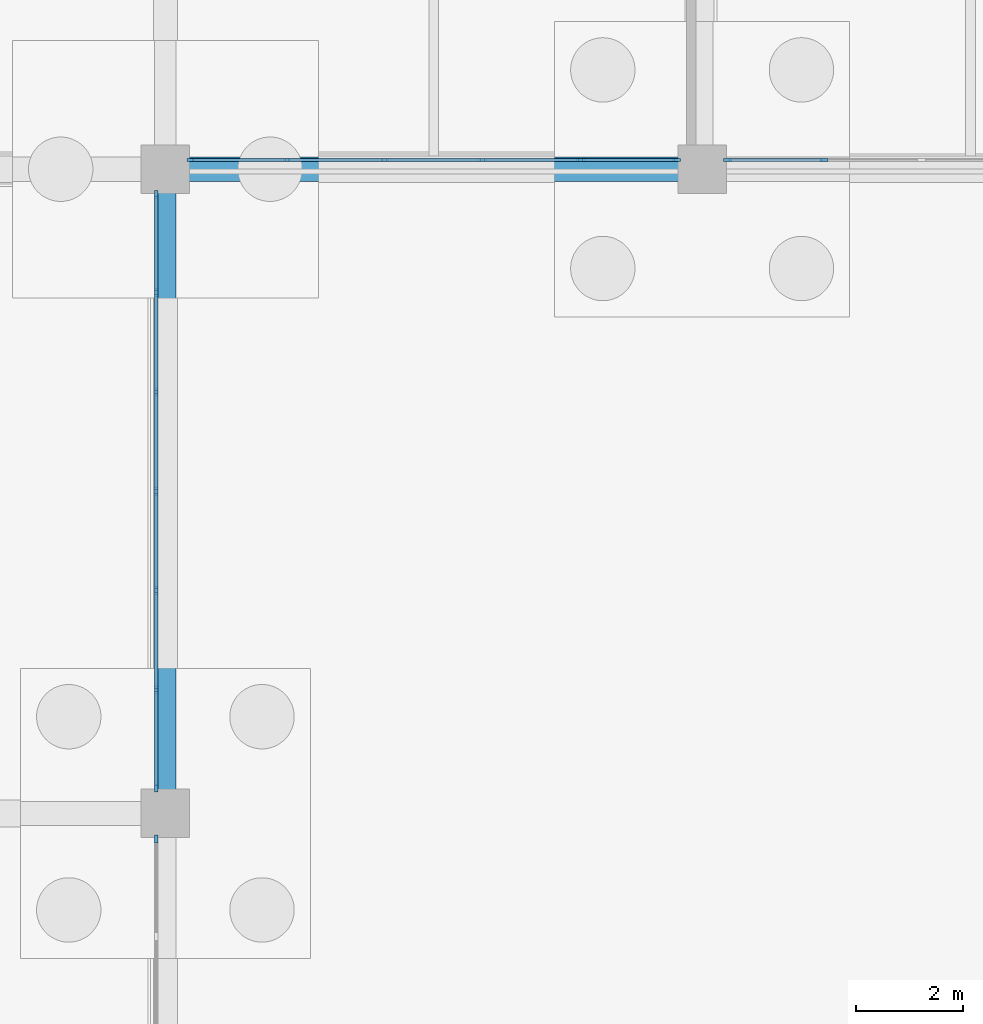
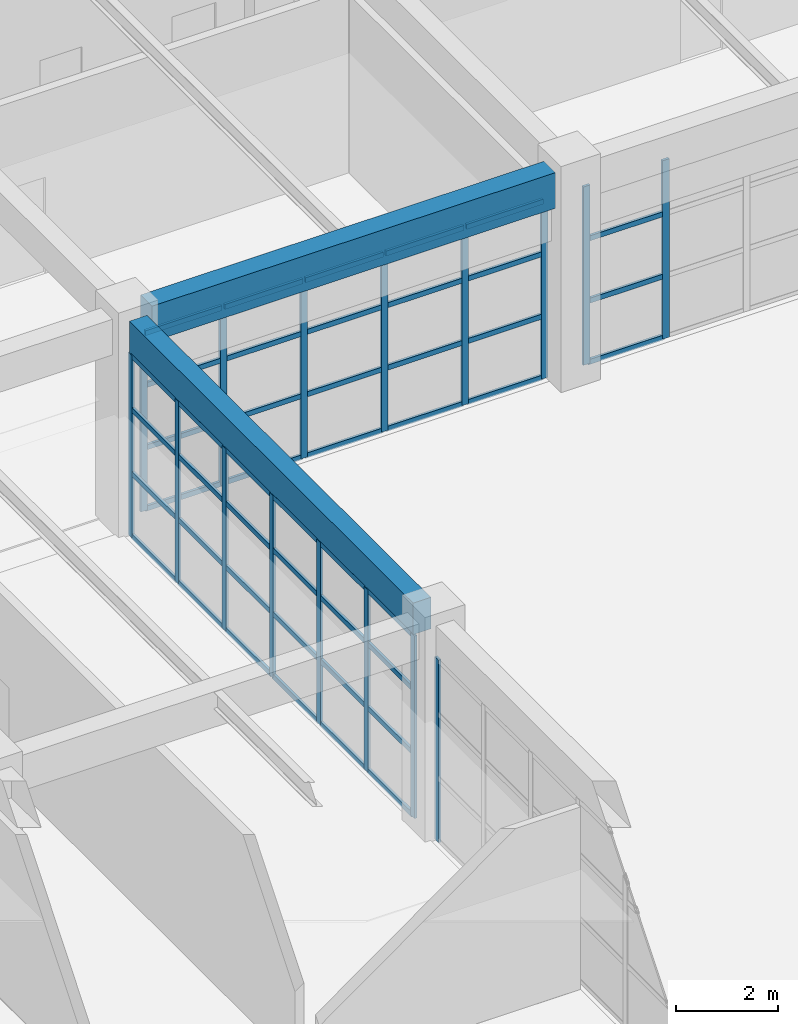
# One storey, part 59 of 99: 63 members, 2 beams, 4 elements without a shape of their own.
"""IFC4 building model written with IfcOpenShell, lengths in metres."""

from ifc_helpers import new_model, si_unit, direction, frame, origin, origin_2d, place, context, subcontext, project, spatial, rectangle, extrude, material, layer, layer_set, material_profile, profile_set, type_object, element, aggregate, save


model = new_model("IFC4")

# Units and contexts
model_context = context("Model", 3, precision=1e-05, world=origin(), true_north=direction((0.0, 1.0)))
body_context = subcontext(model_context, "Body", "Model", "MODEL_VIEW")
ifc_project = project(units=[si_unit("LENGTHUNIT", "METRE"), si_unit("AREAUNIT", "SQUARE_METRE"), si_unit("VOLUMEUNIT", "CUBIC_METRE"), si_unit("PLANEANGLEUNIT", "RADIAN"), si_unit("MASSUNIT", "GRAM", prefix="KILO")], contexts=[model_context])

# Site, building, storey
site_placement = place(None, origin())
site = spatial("IfcSite", under=ifc_project, at=site_placement, CompositionType="ELEMENT")
building_placement = place(site_placement, origin())
building = spatial("IfcBuilding", under=site, at=building_placement, Name="Kivolera Central Railway Station", CompositionType="ELEMENT")
storey_placement = place(building_placement, origin())
storey = spatial("IfcBuildingStorey", under=building, at=storey_placement, Name="L00", CompositionType="ELEMENT", Elevation=0.0)

# Beams
ifc_material_1 = material(Name="Concrete C40/50", Category="concrete")
ifc_material_profile_1 = material_profile(ifc_material_1, rectangle(XDim=0.39990234375, YDim=0.75, at=origin_2d()), Name="RC 400x750")
ifc_profile_set_1 = profile_set([ifc_material_profile_1], Name="Concrete C40/50")
beam_type_1 = type_object("IfcBeamType", Name="BM-RC-400x750", PredefinedType="BEAM", material=ifc_profile_set_1)
beam_1_placement = place(storey_placement, frame((138.0, 102.44189453125, 4.7451171875), z_axis=(0.0, 1.0, 0.0), x_axis=(-1.0, 0.0, 0.0)))
element("IfcBeam", 1, at=beam_1_placement, inside=storey, type_object=beam_type_1, Name="L00 Wing Y-Beam 14:J-K", PredefinedType="BEAM", context=body_context, shape_type="SweptSolid", body=[
    extrude(rectangle(XDim=0.39990234375, YDim=0.75, at=origin_2d()), origin(), (0.0, 0.0, 1.0), 11.1162109375),
])
ifc_material_profile_2 = material_profile(ifc_material_1, rectangle(XDim=0.449951171875, YDim=0.85009765625, at=origin_2d()), Name="RC 450x850")
ifc_profile_set_2 = profile_set([ifc_material_profile_2], Name="Concrete C40/50")
beam_type_2 = type_object("IfcBeamType", Name="BM-RC-450x850", PredefinedType="BEAM", material=ifc_profile_set_2)
beam_2_placement = place(storey_placement, frame((138.44189453125, 114.0, 4.695068359375), z_axis=(1.0, 0.0, 0.0), x_axis=(0.0, 1.0, 0.0)))
element("IfcBeam", 2, at=beam_2_placement, inside=storey, type_object=beam_type_2, Name="L00 Wing X-Beam K:14-15", PredefinedType="BEAM", context=body_context, shape_type="SweptSolid", body=[
    extrude(rectangle(XDim=0.449951171875, YDim=0.85009765625, at=origin_2d()), origin(), (0.0, 0.0, 1.0), 9.1162109375),
])

# Curtain wall, members
ifc_material_2 = material(Name="Anodised aluminium", Category="aluminium")
ifc_layer_1 = layer(ifc_material_2, 0.179931640625, Name="Anodised aluminium")
ifc_layer_set_1 = layer_set([ifc_layer_1], Name="Anodised aluminium")
curtain_wall_type_1 = type_object("IfcCurtainWallType", Name="CW-SYS-21", PredefinedType="NOTDEFINED", material=ifc_layer_set_1)
curtain_wall_1_placement = place(storey_placement, origin())
curtain_wall_1 = element("IfcCurtainWall", 3, at=curtain_wall_1_placement, inside=storey, type_object=curtain_wall_type_1, Name="L00 Curtain Wall CW-L00-CRTN-138", PredefinedType="NOTDEFINED")
ifc_material_profile_3 = material_profile(ifc_material_2, rectangle(XDim=0.06005859375, YDim=0.14990234375, at=origin_2d()), Name="ALU MULL 60x150")
ifc_profile_set_3 = profile_set([ifc_material_profile_3], Name="Anodised aluminium")
member_type_1 = type_object("IfcMemberType", Name="CWM-MUL-2", PredefinedType="MULLION", material=ifc_profile_set_3)
member_1_placement = place(storey_placement, frame((147.52490234375, 114.169921875, -0.0048828125), z_axis=(0.0, 0.0, 1.0), x_axis=(0.0, -1.0, 0.0)))
member_1 = element("IfcMember", 4, at=member_1_placement, type_object=member_type_1, Name="CW-21 mullion 1", PredefinedType="MULLION", context=body_context, shape_type="SweptSolid", body=[
    extrude(rectangle(XDim=0.06005859375, YDim=0.14990234375, at=origin_2d()), origin(), (0.0, 0.0, 1.0), 4.262939453125),
])
member_2_placement = place(storey_placement, frame((145.73291015625, 114.169921875, -0.0048828125), z_axis=(0.0, 0.0, 1.0), x_axis=(0.0, -1.0, 0.0)))
member_2 = element("IfcMember", 5, at=member_2_placement, type_object=member_type_1, Name="CW-21 mullion 2", PredefinedType="MULLION", context=body_context, shape_type="SweptSolid", body=[
    extrude(rectangle(XDim=0.06005859375, YDim=0.14990234375, at=origin_2d()), origin(), (0.0, 0.0, 1.0), 4.262939453125),
])
member_3_placement = place(storey_placement, frame((143.910888671875, 114.169921875, -0.0048828125), z_axis=(0.0, 0.0, 1.0), x_axis=(0.0, -1.0, 0.0)))
member_3 = element("IfcMember", 6, at=member_3_placement, type_object=member_type_1, Name="CW-21 mullion 3", PredefinedType="MULLION", context=body_context, shape_type="SweptSolid", body=[
    extrude(rectangle(XDim=0.06005859375, YDim=0.14990234375, at=origin_2d()), origin(), (0.0, 0.0, 1.0), 4.262939453125),
])
member_4_placement = place(storey_placement, frame((142.089111328125, 114.169921875, -0.0048828125), z_axis=(0.0, 0.0, 1.0), x_axis=(0.0, -1.0, 0.0)))
member_4 = element("IfcMember", 7, at=member_4_placement, type_object=member_type_1, Name="CW-21 mullion 4", PredefinedType="MULLION", context=body_context, shape_type="SweptSolid", body=[
    extrude(rectangle(XDim=0.06005859375, YDim=0.14990234375, at=origin_2d()), origin(), (0.0, 0.0, 1.0), 4.262939453125),
])
member_5_placement = place(storey_placement, frame((140.26708984375, 114.169921875, -0.0048828125), z_axis=(0.0, 0.0, 1.0), x_axis=(0.0, -1.0, 0.0)))
member_5 = element("IfcMember", 8, at=member_5_placement, type_object=member_type_1, Name="CW-21 mullion 5", PredefinedType="MULLION", context=body_context, shape_type="SweptSolid", body=[
    extrude(rectangle(XDim=0.06005859375, YDim=0.14990234375, at=origin_2d()), origin(), (0.0, 0.0, 1.0), 4.262939453125),
])
member_6_placement = place(storey_placement, frame((138.47509765625, 114.169921875, -0.0048828125), z_axis=(0.0, 0.0, 1.0), x_axis=(0.0, -1.0, 0.0)))
member_6 = element("IfcMember", 9, at=member_6_placement, type_object=member_type_1, Name="CW-21 mullion 6", PredefinedType="MULLION", context=body_context, shape_type="SweptSolid", body=[
    extrude(rectangle(XDim=0.06005859375, YDim=0.14990234375, at=origin_2d()), origin(), (0.0, 0.0, 1.0), 4.262939453125),
])

curtain_wall_2_placement = place(storey_placement, origin())
curtain_wall_2 = element("IfcCurtainWall", 10, at=curtain_wall_2_placement, inside=storey, type_object=curtain_wall_type_1, Name="L00 Curtain Wall CW-L00-CRTN-148", PredefinedType="NOTDEFINED")
member_7_placement = place(storey_placement, frame((150.26708984375, 114.169921875, -0.0048828125), z_axis=(0.0, 0.0, 1.0), x_axis=(0.0, -1.0, 0.0)))
member_7 = element("IfcMember", 11, at=member_7_placement, type_object=member_type_1, Name="CW-21 mullion 5", PredefinedType="MULLION", context=body_context, shape_type="SweptSolid", body=[
    extrude(rectangle(XDim=0.06005859375, YDim=0.14990234375, at=origin_2d()), origin(), (0.0, 0.0, 1.0), 4.262939453125),
])
member_8_placement = place(storey_placement, frame((148.47509765625, 114.169921875, -0.0048828125), z_axis=(0.0, 0.0, 1.0), x_axis=(0.0, -1.0, 0.0)))
member_8 = element("IfcMember", 12, at=member_8_placement, type_object=member_type_1, Name="CW-21 mullion 6", PredefinedType="MULLION", context=body_context, shape_type="SweptSolid", body=[
    extrude(rectangle(XDim=0.06005859375, YDim=0.14990234375, at=origin_2d()), origin(), (0.0, 0.0, 1.0), 4.262939453125),
])

# Curtain wall, member
ifc_layer_2 = layer(ifc_material_2, 0.179931640625, Name="Anodised aluminium")
ifc_layer_set_2 = layer_set([ifc_layer_2], Name="Anodised aluminium")
curtain_wall_type_2 = type_object("IfcCurtainWallType", Name="CW-SYS-22", PredefinedType="NOTDEFINED", material=ifc_layer_set_2)
curtain_wall_3_placement = place(storey_placement, origin())
curtain_wall_3 = element("IfcCurtainWall", 13, at=curtain_wall_3_placement, inside=storey, type_object=curtain_wall_type_2, Name="L00 Curtain Wall CW-L00-CRTW-H", PredefinedType="NOTDEFINED")
member_9_placement = place(storey_placement, frame((137.830078125, 101.52490234375, -0.0048828125), z_axis=(0.0, 0.0, 1.0), x_axis=(1.0, 0.0, 0.0)))
member_9 = element("IfcMember", 14, at=member_9_placement, type_object=member_type_1, Name="CW-22 mullion 1", PredefinedType="MULLION", context=body_context, shape_type="SweptSolid", body=[
    extrude(rectangle(XDim=0.06005859375, YDim=0.14990234375, at=origin_2d()), origin(), (0.0, 0.0, 1.0), 4.36279296875),
])
aggregate(curtain_wall_3, [member_9])

# Curtain wall, members
curtain_wall_4_placement = place(storey_placement, origin())
curtain_wall_4 = element("IfcCurtainWall", 15, at=curtain_wall_4_placement, inside=storey, type_object=curtain_wall_type_2, Name="L00 Curtain Wall CW-L00-CRTW-J", PredefinedType="NOTDEFINED")
member_10_placement = place(storey_placement, frame((137.830078125, 113.52490234375, -0.0048828125), z_axis=(0.0, 0.0, 1.0), x_axis=(1.0, 0.0, 0.0)))
member_10 = element("IfcMember", 16, at=member_10_placement, type_object=member_type_1, Name="CW-22 mullion 1", PredefinedType="MULLION", context=body_context, shape_type="SweptSolid", body=[
    extrude(rectangle(XDim=0.06005859375, YDim=0.14990234375, at=origin_2d()), origin(), (0.0, 0.0, 1.0), 4.36279296875),
])
member_11_placement = place(storey_placement, frame((137.830078125, 111.703369140625, -0.0048828125), z_axis=(0.0, 0.0, 1.0), x_axis=(1.0, 0.0, 0.0)))
member_11 = element("IfcMember", 17, at=member_11_placement, type_object=member_type_1, Name="CW-22 mullion 2", PredefinedType="MULLION", context=body_context, shape_type="SweptSolid", body=[
    extrude(rectangle(XDim=0.06005859375, YDim=0.14990234375, at=origin_2d()), origin(), (0.0, 0.0, 1.0), 4.36279296875),
])
member_12_placement = place(storey_placement, frame((137.830078125, 109.8515625, -0.0048828125), z_axis=(0.0, 0.0, 1.0), x_axis=(1.0, 0.0, 0.0)))
member_12 = element("IfcMember", 18, at=member_12_placement, type_object=member_type_1, Name="CW-22 mullion 3", PredefinedType="MULLION", context=body_context, shape_type="SweptSolid", body=[
    extrude(rectangle(XDim=0.06005859375, YDim=0.14990234375, at=origin_2d()), origin(), (0.0, 0.0, 1.0), 4.36279296875),
])
member_13_placement = place(storey_placement, frame((137.830078125, 108.0, -0.0048828125), z_axis=(0.0, 0.0, 1.0), x_axis=(1.0, 0.0, 0.0)))
member_13 = element("IfcMember", 19, at=member_13_placement, type_object=member_type_1, Name="CW-22 mullion 4", PredefinedType="MULLION", context=body_context, shape_type="SweptSolid", body=[
    extrude(rectangle(XDim=0.06005859375, YDim=0.14990234375, at=origin_2d()), origin(), (0.0, 0.0, 1.0), 4.36279296875),
])
member_14_placement = place(storey_placement, frame((137.830078125, 106.1484375, -0.0048828125), z_axis=(0.0, 0.0, 1.0), x_axis=(1.0, 0.0, 0.0)))
member_14 = element("IfcMember", 20, at=member_14_placement, type_object=member_type_1, Name="CW-22 mullion 5", PredefinedType="MULLION", context=body_context, shape_type="SweptSolid", body=[
    extrude(rectangle(XDim=0.06005859375, YDim=0.14990234375, at=origin_2d()), origin(), (0.0, 0.0, 1.0), 4.36279296875),
])
member_15_placement = place(storey_placement, frame((137.830078125, 104.296630859375, -0.0048828125), z_axis=(0.0, 0.0, 1.0), x_axis=(1.0, 0.0, 0.0)))
member_15 = element("IfcMember", 21, at=member_15_placement, type_object=member_type_1, Name="CW-22 mullion 6", PredefinedType="MULLION", context=body_context, shape_type="SweptSolid", body=[
    extrude(rectangle(XDim=0.06005859375, YDim=0.14990234375, at=origin_2d()), origin(), (0.0, 0.0, 1.0), 4.36279296875),
])
member_16_placement = place(storey_placement, frame((137.830078125, 102.47509765625, -0.0048828125), z_axis=(0.0, 0.0, 1.0), x_axis=(1.0, 0.0, 0.0)))
member_16 = element("IfcMember", 22, at=member_16_placement, type_object=member_type_1, Name="CW-22 mullion 7", PredefinedType="MULLION", context=body_context, shape_type="SweptSolid", body=[
    extrude(rectangle(XDim=0.06005859375, YDim=0.14990234375, at=origin_2d()), origin(), (0.0, 0.0, 1.0), 4.36279296875),
])

# Member
ifc_material_profile_4 = material_profile(ifc_material_2, rectangle(XDim=0.06005859375, YDim=0.1201171875, at=origin_2d()), Name="ALU TRAN 60x120")
ifc_profile_set_4 = profile_set([ifc_material_profile_4], Name="Anodised aluminium")
member_type_2 = type_object("IfcMemberType", Name="CWM-TRN-2", PredefinedType="USERDEFINED", material=ifc_profile_set_4)
member_17_placement = place(storey_placement, frame((147.4951171875, 114.169921875, 0.030029296875), z_axis=(-1.0, 0.0, 0.0), x_axis=(0.0, -1.0, 0.0)))
member_17 = element("IfcMember", 23, at=member_17_placement, type_object=member_type_2, Name="CW-21 transom 1.1", ObjectType="TRANSOM", PredefinedType="USERDEFINED", context=body_context, shape_type="SweptSolid", body=[
    extrude(rectangle(XDim=0.06005859375, YDim=0.1201171875, at=origin_2d()), origin(), (0.0, 0.0, 1.0), 1.732177734375),
])

member_18_placement = place(storey_placement, frame((147.4951171875, 114.169921875, 1.490234375), z_axis=(-1.0, 0.0, 0.0), x_axis=(0.0, -1.0, 0.0)))
member_18 = element("IfcMember", 24, at=member_18_placement, type_object=member_type_2, Name="CW-21 transom 1.2", ObjectType="TRANSOM", PredefinedType="USERDEFINED", context=body_context, shape_type="SweptSolid", body=[
    extrude(rectangle(XDim=0.06005859375, YDim=0.1201171875, at=origin_2d()), origin(), (0.0, 0.0, 1.0), 1.732177734375),
])

member_19_placement = place(storey_placement, frame((147.4951171875, 114.169921875, 2.980712890625), z_axis=(-1.0, 0.0, 0.0), x_axis=(0.0, -1.0, 0.0)))
member_19 = element("IfcMember", 25, at=member_19_placement, type_object=member_type_2, Name="CW-21 transom 1.3", ObjectType="TRANSOM", PredefinedType="USERDEFINED", context=body_context, shape_type="SweptSolid", body=[
    extrude(rectangle(XDim=0.06005859375, YDim=0.1201171875, at=origin_2d()), origin(), (0.0, 0.0, 1.0), 1.732177734375),
])

member_20_placement = place(storey_placement, frame((147.4951171875, 114.169921875, 4.22802734375), z_axis=(-1.0, 0.0, 0.0), x_axis=(0.0, -1.0, 0.0)))
member_20 = element("IfcMember", 26, at=member_20_placement, type_object=member_type_2, Name="CW-21 transom 1.4", ObjectType="TRANSOM", PredefinedType="USERDEFINED", context=body_context, shape_type="SweptSolid", body=[
    extrude(rectangle(XDim=0.06005859375, YDim=0.1201171875, at=origin_2d()), origin(), (0.0, 0.0, 1.0), 1.732177734375),
])

member_21_placement = place(storey_placement, frame((145.702880859375, 114.169921875, 0.030029296875), z_axis=(-1.0, 0.0, 0.0), x_axis=(0.0, -1.0, 0.0)))
member_21 = element("IfcMember", 27, at=member_21_placement, type_object=member_type_2, Name="CW-21 transom 2.1", ObjectType="TRANSOM", PredefinedType="USERDEFINED", context=body_context, shape_type="SweptSolid", body=[
    extrude(rectangle(XDim=0.06005859375, YDim=0.1201171875, at=origin_2d()), origin(), (0.0, 0.0, 1.0), 1.761962890625),
])

member_22_placement = place(storey_placement, frame((145.702880859375, 114.169921875, 1.490234375), z_axis=(-1.0, 0.0, 0.0), x_axis=(0.0, -1.0, 0.0)))
member_22 = element("IfcMember", 28, at=member_22_placement, type_object=member_type_2, Name="CW-21 transom 2.2", ObjectType="TRANSOM", PredefinedType="USERDEFINED", context=body_context, shape_type="SweptSolid", body=[
    extrude(rectangle(XDim=0.06005859375, YDim=0.1201171875, at=origin_2d()), origin(), (0.0, 0.0, 1.0), 1.761962890625),
])

member_23_placement = place(storey_placement, frame((145.702880859375, 114.169921875, 2.980712890625), z_axis=(-1.0, 0.0, 0.0), x_axis=(0.0, -1.0, 0.0)))
member_23 = element("IfcMember", 29, at=member_23_placement, type_object=member_type_2, Name="CW-21 transom 2.3", ObjectType="TRANSOM", PredefinedType="USERDEFINED", context=body_context, shape_type="SweptSolid", body=[
    extrude(rectangle(XDim=0.06005859375, YDim=0.1201171875, at=origin_2d()), origin(), (0.0, 0.0, 1.0), 1.761962890625),
])

member_24_placement = place(storey_placement, frame((145.702880859375, 114.169921875, 4.22802734375), z_axis=(-1.0, 0.0, 0.0), x_axis=(0.0, -1.0, 0.0)))
member_24 = element("IfcMember", 30, at=member_24_placement, type_object=member_type_2, Name="CW-21 transom 2.4", ObjectType="TRANSOM", PredefinedType="USERDEFINED", context=body_context, shape_type="SweptSolid", body=[
    extrude(rectangle(XDim=0.06005859375, YDim=0.1201171875, at=origin_2d()), origin(), (0.0, 0.0, 1.0), 1.761962890625),
])

member_25_placement = place(storey_placement, frame((143.881103515625, 114.169921875, 0.030029296875), z_axis=(-1.0, 0.0, 0.0), x_axis=(0.0, -1.0, 0.0)))
member_25 = element("IfcMember", 31, at=member_25_placement, type_object=member_type_2, Name="CW-21 transom 3.1", ObjectType="TRANSOM", PredefinedType="USERDEFINED", context=body_context, shape_type="SweptSolid", body=[
    extrude(rectangle(XDim=0.06005859375, YDim=0.1201171875, at=origin_2d()), origin(), (0.0, 0.0, 1.0), 1.76220703125),
])

member_26_placement = place(storey_placement, frame((143.881103515625, 114.169921875, 1.490234375), z_axis=(-1.0, 0.0, 0.0), x_axis=(0.0, -1.0, 0.0)))
member_26 = element("IfcMember", 32, at=member_26_placement, type_object=member_type_2, Name="CW-21 transom 3.2", ObjectType="TRANSOM", PredefinedType="USERDEFINED", context=body_context, shape_type="SweptSolid", body=[
    extrude(rectangle(XDim=0.06005859375, YDim=0.1201171875, at=origin_2d()), origin(), (0.0, 0.0, 1.0), 1.76220703125),
])

member_27_placement = place(storey_placement, frame((143.881103515625, 114.169921875, 2.980712890625), z_axis=(-1.0, 0.0, 0.0), x_axis=(0.0, -1.0, 0.0)))
member_27 = element("IfcMember", 33, at=member_27_placement, type_object=member_type_2, Name="CW-21 transom 3.3", ObjectType="TRANSOM", PredefinedType="USERDEFINED", context=body_context, shape_type="SweptSolid", body=[
    extrude(rectangle(XDim=0.06005859375, YDim=0.1201171875, at=origin_2d()), origin(), (0.0, 0.0, 1.0), 1.76220703125),
])

member_28_placement = place(storey_placement, frame((143.881103515625, 114.169921875, 4.22802734375), z_axis=(-1.0, 0.0, 0.0), x_axis=(0.0, -1.0, 0.0)))
member_28 = element("IfcMember", 34, at=member_28_placement, type_object=member_type_2, Name="CW-21 transom 3.4", ObjectType="TRANSOM", PredefinedType="USERDEFINED", context=body_context, shape_type="SweptSolid", body=[
    extrude(rectangle(XDim=0.06005859375, YDim=0.1201171875, at=origin_2d()), origin(), (0.0, 0.0, 1.0), 1.76220703125),
])

member_29_placement = place(storey_placement, frame((142.05908203125, 114.169921875, 0.030029296875), z_axis=(-1.0, 0.0, 0.0), x_axis=(0.0, -1.0, 0.0)))
member_29 = element("IfcMember", 35, at=member_29_placement, type_object=member_type_2, Name="CW-21 transom 4.1", ObjectType="TRANSOM", PredefinedType="USERDEFINED", context=body_context, shape_type="SweptSolid", body=[
    extrude(rectangle(XDim=0.06005859375, YDim=0.1201171875, at=origin_2d()), origin(), (0.0, 0.0, 1.0), 1.761962890625),
])

member_30_placement = place(storey_placement, frame((142.05908203125, 114.169921875, 1.490234375), z_axis=(-1.0, 0.0, 0.0), x_axis=(0.0, -1.0, 0.0)))
member_30 = element("IfcMember", 36, at=member_30_placement, type_object=member_type_2, Name="CW-21 transom 4.2", ObjectType="TRANSOM", PredefinedType="USERDEFINED", context=body_context, shape_type="SweptSolid", body=[
    extrude(rectangle(XDim=0.06005859375, YDim=0.1201171875, at=origin_2d()), origin(), (0.0, 0.0, 1.0), 1.761962890625),
])

member_31_placement = place(storey_placement, frame((142.05908203125, 114.169921875, 2.980712890625), z_axis=(-1.0, 0.0, 0.0), x_axis=(0.0, -1.0, 0.0)))
member_31 = element("IfcMember", 37, at=member_31_placement, type_object=member_type_2, Name="CW-21 transom 4.3", ObjectType="TRANSOM", PredefinedType="USERDEFINED", context=body_context, shape_type="SweptSolid", body=[
    extrude(rectangle(XDim=0.06005859375, YDim=0.1201171875, at=origin_2d()), origin(), (0.0, 0.0, 1.0), 1.761962890625),
])

member_32_placement = place(storey_placement, frame((142.05908203125, 114.169921875, 4.22802734375), z_axis=(-1.0, 0.0, 0.0), x_axis=(0.0, -1.0, 0.0)))
member_32 = element("IfcMember", 38, at=member_32_placement, type_object=member_type_2, Name="CW-21 transom 4.4", ObjectType="TRANSOM", PredefinedType="USERDEFINED", context=body_context, shape_type="SweptSolid", body=[
    extrude(rectangle(XDim=0.06005859375, YDim=0.1201171875, at=origin_2d()), origin(), (0.0, 0.0, 1.0), 1.761962890625),
])

member_33_placement = place(storey_placement, frame((140.237060546875, 114.169921875, 0.030029296875), z_axis=(-1.0, 0.0, 0.0), x_axis=(0.0, -1.0, 0.0)))
member_33 = element("IfcMember", 39, at=member_33_placement, type_object=member_type_2, Name="CW-21 transom 5.1", ObjectType="TRANSOM", PredefinedType="USERDEFINED", context=body_context, shape_type="SweptSolid", body=[
    extrude(rectangle(XDim=0.06005859375, YDim=0.1201171875, at=origin_2d()), origin(), (0.0, 0.0, 1.0), 1.732177734375),
])

member_34_placement = place(storey_placement, frame((140.237060546875, 114.169921875, 1.490234375), z_axis=(-1.0, 0.0, 0.0), x_axis=(0.0, -1.0, 0.0)))
member_34 = element("IfcMember", 40, at=member_34_placement, type_object=member_type_2, Name="CW-21 transom 5.2", ObjectType="TRANSOM", PredefinedType="USERDEFINED", context=body_context, shape_type="SweptSolid", body=[
    extrude(rectangle(XDim=0.06005859375, YDim=0.1201171875, at=origin_2d()), origin(), (0.0, 0.0, 1.0), 1.732177734375),
])

member_35_placement = place(storey_placement, frame((140.237060546875, 114.169921875, 2.980712890625), z_axis=(-1.0, 0.0, 0.0), x_axis=(0.0, -1.0, 0.0)))
member_35 = element("IfcMember", 41, at=member_35_placement, type_object=member_type_2, Name="CW-21 transom 5.3", ObjectType="TRANSOM", PredefinedType="USERDEFINED", context=body_context, shape_type="SweptSolid", body=[
    extrude(rectangle(XDim=0.06005859375, YDim=0.1201171875, at=origin_2d()), origin(), (0.0, 0.0, 1.0), 1.732177734375),
])

member_36_placement = place(storey_placement, frame((140.237060546875, 114.169921875, 4.22802734375), z_axis=(-1.0, 0.0, 0.0), x_axis=(0.0, -1.0, 0.0)))
member_36 = element("IfcMember", 42, at=member_36_placement, type_object=member_type_2, Name="CW-21 transom 5.4", ObjectType="TRANSOM", PredefinedType="USERDEFINED", context=body_context, shape_type="SweptSolid", body=[
    extrude(rectangle(XDim=0.06005859375, YDim=0.1201171875, at=origin_2d()), origin(), (0.0, 0.0, 1.0), 1.732177734375),
])

aggregate(curtain_wall_1, [member_1, member_2, member_3, member_4, member_5, member_6, member_17, member_18, member_19, member_20, member_21, member_22, member_23, member_24, member_25, member_26, member_27, member_28, member_29, member_30, member_31, member_32, member_33, member_34, member_35, member_36])

member_37_placement = place(storey_placement, frame((150.237060546875, 114.169921875, 0.030029296875), z_axis=(-1.0, 0.0, 0.0), x_axis=(0.0, -1.0, 0.0)))
member_37 = element("IfcMember", 43, at=member_37_placement, type_object=member_type_2, Name="CW-21 transom 5.1", ObjectType="TRANSOM", PredefinedType="USERDEFINED", context=body_context, shape_type="SweptSolid", body=[
    extrude(rectangle(XDim=0.06005859375, YDim=0.1201171875, at=origin_2d()), origin(), (0.0, 0.0, 1.0), 1.732177734375),
])

member_38_placement = place(storey_placement, frame((150.237060546875, 114.169921875, 1.490234375), z_axis=(-1.0, 0.0, 0.0), x_axis=(0.0, -1.0, 0.0)))
member_38 = element("IfcMember", 44, at=member_38_placement, type_object=member_type_2, Name="CW-21 transom 5.2", ObjectType="TRANSOM", PredefinedType="USERDEFINED", context=body_context, shape_type="SweptSolid", body=[
    extrude(rectangle(XDim=0.06005859375, YDim=0.1201171875, at=origin_2d()), origin(), (0.0, 0.0, 1.0), 1.732177734375),
])

member_39_placement = place(storey_placement, frame((150.237060546875, 114.169921875, 2.980712890625), z_axis=(-1.0, 0.0, 0.0), x_axis=(0.0, -1.0, 0.0)))
member_39 = element("IfcMember", 45, at=member_39_placement, type_object=member_type_2, Name="CW-21 transom 5.3", ObjectType="TRANSOM", PredefinedType="USERDEFINED", context=body_context, shape_type="SweptSolid", body=[
    extrude(rectangle(XDim=0.06005859375, YDim=0.1201171875, at=origin_2d()), origin(), (0.0, 0.0, 1.0), 1.732177734375),
])

aggregate(curtain_wall_2, [member_7, member_8, member_37, member_38, member_39])

member_40_placement = place(storey_placement, frame((137.830078125, 113.4951171875, 0.030029296875), z_axis=(0.0, -1.0, 0.0), x_axis=(1.0, 0.0, 0.0)))
member_40 = element("IfcMember", 46, at=member_40_placement, type_object=member_type_2, Name="CW-22 transom 1.1", ObjectType="TRANSOM", PredefinedType="USERDEFINED", context=body_context, shape_type="SweptSolid", body=[
    extrude(rectangle(XDim=0.06005859375, YDim=0.1201171875, at=origin_2d()), origin(), (0.0, 0.0, 1.0), 1.76171875),
])

member_41_placement = place(storey_placement, frame((137.830078125, 113.4951171875, 1.525390625), z_axis=(0.0, -1.0, 0.0), x_axis=(1.0, 0.0, 0.0)))
member_41 = element("IfcMember", 47, at=member_41_placement, type_object=member_type_2, Name="CW-22 transom 1.2", ObjectType="TRANSOM", PredefinedType="USERDEFINED", context=body_context, shape_type="SweptSolid", body=[
    extrude(rectangle(XDim=0.06005859375, YDim=0.1201171875, at=origin_2d()), origin(), (0.0, 0.0, 1.0), 1.76171875),
])

member_42_placement = place(storey_placement, frame((137.830078125, 113.4951171875, 3.050537109375), z_axis=(0.0, -1.0, 0.0), x_axis=(1.0, 0.0, 0.0)))
member_42 = element("IfcMember", 48, at=member_42_placement, type_object=member_type_2, Name="CW-22 transom 1.3", ObjectType="TRANSOM", PredefinedType="USERDEFINED", context=body_context, shape_type="SweptSolid", body=[
    extrude(rectangle(XDim=0.06005859375, YDim=0.1201171875, at=origin_2d()), origin(), (0.0, 0.0, 1.0), 1.76171875),
])

member_43_placement = place(storey_placement, frame((137.830078125, 113.4951171875, 4.327880859375), z_axis=(0.0, -1.0, 0.0), x_axis=(1.0, 0.0, 0.0)))
member_43 = element("IfcMember", 49, at=member_43_placement, type_object=member_type_2, Name="CW-22 transom 1.4", ObjectType="TRANSOM", PredefinedType="USERDEFINED", context=body_context, shape_type="SweptSolid", body=[
    extrude(rectangle(XDim=0.06005859375, YDim=0.1201171875, at=origin_2d()), origin(), (0.0, 0.0, 1.0), 1.76171875),
])

member_44_placement = place(storey_placement, frame((137.830078125, 111.67333984375, 0.030029296875), z_axis=(0.0, -1.0, 0.0), x_axis=(1.0, 0.0, 0.0)))
member_44 = element("IfcMember", 50, at=member_44_placement, type_object=member_type_2, Name="CW-22 transom 2.1", ObjectType="TRANSOM", PredefinedType="USERDEFINED", context=body_context, shape_type="SweptSolid", body=[
    extrude(rectangle(XDim=0.06005859375, YDim=0.1201171875, at=origin_2d()), origin(), (0.0, 0.0, 1.0), 1.791748046875),
])

member_45_placement = place(storey_placement, frame((137.830078125, 111.67333984375, 1.525390625), z_axis=(0.0, -1.0, 0.0), x_axis=(1.0, 0.0, 0.0)))
member_45 = element("IfcMember", 51, at=member_45_placement, type_object=member_type_2, Name="CW-22 transom 2.2", ObjectType="TRANSOM", PredefinedType="USERDEFINED", context=body_context, shape_type="SweptSolid", body=[
    extrude(rectangle(XDim=0.06005859375, YDim=0.1201171875, at=origin_2d()), origin(), (0.0, 0.0, 1.0), 1.791748046875),
])

member_46_placement = place(storey_placement, frame((137.830078125, 111.67333984375, 3.050537109375), z_axis=(0.0, -1.0, 0.0), x_axis=(1.0, 0.0, 0.0)))
member_46 = element("IfcMember", 52, at=member_46_placement, type_object=member_type_2, Name="CW-22 transom 2.3", ObjectType="TRANSOM", PredefinedType="USERDEFINED", context=body_context, shape_type="SweptSolid", body=[
    extrude(rectangle(XDim=0.06005859375, YDim=0.1201171875, at=origin_2d()), origin(), (0.0, 0.0, 1.0), 1.791748046875),
])

member_47_placement = place(storey_placement, frame((137.830078125, 111.67333984375, 4.327880859375), z_axis=(0.0, -1.0, 0.0), x_axis=(1.0, 0.0, 0.0)))
member_47 = element("IfcMember", 53, at=member_47_placement, type_object=member_type_2, Name="CW-22 transom 2.4", ObjectType="TRANSOM", PredefinedType="USERDEFINED", context=body_context, shape_type="SweptSolid", body=[
    extrude(rectangle(XDim=0.06005859375, YDim=0.1201171875, at=origin_2d()), origin(), (0.0, 0.0, 1.0), 1.791748046875),
])

member_48_placement = place(storey_placement, frame((137.830078125, 109.82177734375, 0.030029296875), z_axis=(0.0, -1.0, 0.0), x_axis=(1.0, 0.0, 0.0)))
member_48 = element("IfcMember", 54, at=member_48_placement, type_object=member_type_2, Name="CW-22 transom 3.1", ObjectType="TRANSOM", PredefinedType="USERDEFINED", context=body_context, shape_type="SweptSolid", body=[
    extrude(rectangle(XDim=0.06005859375, YDim=0.1201171875, at=origin_2d()), origin(), (0.0, 0.0, 1.0), 1.791748046875),
])

member_49_placement = place(storey_placement, frame((137.830078125, 109.82177734375, 1.525390625), z_axis=(0.0, -1.0, 0.0), x_axis=(1.0, 0.0, 0.0)))
member_49 = element("IfcMember", 55, at=member_49_placement, type_object=member_type_2, Name="CW-22 transom 3.2", ObjectType="TRANSOM", PredefinedType="USERDEFINED", context=body_context, shape_type="SweptSolid", body=[
    extrude(rectangle(XDim=0.06005859375, YDim=0.1201171875, at=origin_2d()), origin(), (0.0, 0.0, 1.0), 1.791748046875),
])

member_50_placement = place(storey_placement, frame((137.830078125, 109.82177734375, 3.050537109375), z_axis=(0.0, -1.0, 0.0), x_axis=(1.0, 0.0, 0.0)))
member_50 = element("IfcMember", 56, at=member_50_placement, type_object=member_type_2, Name="CW-22 transom 3.3", ObjectType="TRANSOM", PredefinedType="USERDEFINED", context=body_context, shape_type="SweptSolid", body=[
    extrude(rectangle(XDim=0.06005859375, YDim=0.1201171875, at=origin_2d()), origin(), (0.0, 0.0, 1.0), 1.791748046875),
])

member_51_placement = place(storey_placement, frame((137.830078125, 109.82177734375, 4.327880859375), z_axis=(0.0, -1.0, 0.0), x_axis=(1.0, 0.0, 0.0)))
member_51 = element("IfcMember", 57, at=member_51_placement, type_object=member_type_2, Name="CW-22 transom 3.4", ObjectType="TRANSOM", PredefinedType="USERDEFINED", context=body_context, shape_type="SweptSolid", body=[
    extrude(rectangle(XDim=0.06005859375, YDim=0.1201171875, at=origin_2d()), origin(), (0.0, 0.0, 1.0), 1.791748046875),
])

member_52_placement = place(storey_placement, frame((137.830078125, 107.969970703125, 0.030029296875), z_axis=(0.0, -1.0, 0.0), x_axis=(1.0, 0.0, 0.0)))
member_52 = element("IfcMember", 58, at=member_52_placement, type_object=member_type_2, Name="CW-22 transom 4.1", ObjectType="TRANSOM", PredefinedType="USERDEFINED", context=body_context, shape_type="SweptSolid", body=[
    extrude(rectangle(XDim=0.06005859375, YDim=0.1201171875, at=origin_2d()), origin(), (0.0, 0.0, 1.0), 1.791748046875),
])

member_53_placement = place(storey_placement, frame((137.830078125, 107.969970703125, 1.525390625), z_axis=(0.0, -1.0, 0.0), x_axis=(1.0, 0.0, 0.0)))
member_53 = element("IfcMember", 59, at=member_53_placement, type_object=member_type_2, Name="CW-22 transom 4.2", ObjectType="TRANSOM", PredefinedType="USERDEFINED", context=body_context, shape_type="SweptSolid", body=[
    extrude(rectangle(XDim=0.06005859375, YDim=0.1201171875, at=origin_2d()), origin(), (0.0, 0.0, 1.0), 1.791748046875),
])

member_54_placement = place(storey_placement, frame((137.830078125, 107.969970703125, 3.050537109375), z_axis=(0.0, -1.0, 0.0), x_axis=(1.0, 0.0, 0.0)))
member_54 = element("IfcMember", 60, at=member_54_placement, type_object=member_type_2, Name="CW-22 transom 4.3", ObjectType="TRANSOM", PredefinedType="USERDEFINED", context=body_context, shape_type="SweptSolid", body=[
    extrude(rectangle(XDim=0.06005859375, YDim=0.1201171875, at=origin_2d()), origin(), (0.0, 0.0, 1.0), 1.791748046875),
])

member_55_placement = place(storey_placement, frame((137.830078125, 107.969970703125, 4.327880859375), z_axis=(0.0, -1.0, 0.0), x_axis=(1.0, 0.0, 0.0)))
member_55 = element("IfcMember", 61, at=member_55_placement, type_object=member_type_2, Name="CW-22 transom 4.4", ObjectType="TRANSOM", PredefinedType="USERDEFINED", context=body_context, shape_type="SweptSolid", body=[
    extrude(rectangle(XDim=0.06005859375, YDim=0.1201171875, at=origin_2d()), origin(), (0.0, 0.0, 1.0), 1.791748046875),
])

member_56_placement = place(storey_placement, frame((137.830078125, 106.118408203125, 0.030029296875), z_axis=(0.0, -1.0, 0.0), x_axis=(1.0, 0.0, 0.0)))
member_56 = element("IfcMember", 62, at=member_56_placement, type_object=member_type_2, Name="CW-22 transom 5.1", ObjectType="TRANSOM", PredefinedType="USERDEFINED", context=body_context, shape_type="SweptSolid", body=[
    extrude(rectangle(XDim=0.06005859375, YDim=0.1201171875, at=origin_2d()), origin(), (0.0, 0.0, 1.0), 1.791748046875),
])

member_57_placement = place(storey_placement, frame((137.830078125, 106.118408203125, 1.525390625), z_axis=(0.0, -1.0, 0.0), x_axis=(1.0, 0.0, 0.0)))
member_57 = element("IfcMember", 63, at=member_57_placement, type_object=member_type_2, Name="CW-22 transom 5.2", ObjectType="TRANSOM", PredefinedType="USERDEFINED", context=body_context, shape_type="SweptSolid", body=[
    extrude(rectangle(XDim=0.06005859375, YDim=0.1201171875, at=origin_2d()), origin(), (0.0, 0.0, 1.0), 1.791748046875),
])

member_58_placement = place(storey_placement, frame((137.830078125, 106.118408203125, 3.050537109375), z_axis=(0.0, -1.0, 0.0), x_axis=(1.0, 0.0, 0.0)))
member_58 = element("IfcMember", 64, at=member_58_placement, type_object=member_type_2, Name="CW-22 transom 5.3", ObjectType="TRANSOM", PredefinedType="USERDEFINED", context=body_context, shape_type="SweptSolid", body=[
    extrude(rectangle(XDim=0.06005859375, YDim=0.1201171875, at=origin_2d()), origin(), (0.0, 0.0, 1.0), 1.791748046875),
])

member_59_placement = place(storey_placement, frame((137.830078125, 106.118408203125, 4.327880859375), z_axis=(0.0, -1.0, 0.0), x_axis=(1.0, 0.0, 0.0)))
member_59 = element("IfcMember", 65, at=member_59_placement, type_object=member_type_2, Name="CW-22 transom 5.4", ObjectType="TRANSOM", PredefinedType="USERDEFINED", context=body_context, shape_type="SweptSolid", body=[
    extrude(rectangle(XDim=0.06005859375, YDim=0.1201171875, at=origin_2d()), origin(), (0.0, 0.0, 1.0), 1.791748046875),
])

member_60_placement = place(storey_placement, frame((137.830078125, 104.2666015625, 0.030029296875), z_axis=(0.0, -1.0, 0.0), x_axis=(1.0, 0.0, 0.0)))
member_60 = element("IfcMember", 66, at=member_60_placement, type_object=member_type_2, Name="CW-22 transom 6.1", ObjectType="TRANSOM", PredefinedType="USERDEFINED", context=body_context, shape_type="SweptSolid", body=[
    extrude(rectangle(XDim=0.06005859375, YDim=0.1201171875, at=origin_2d()), origin(), (0.0, 0.0, 1.0), 1.76171875),
])

member_61_placement = place(storey_placement, frame((137.830078125, 104.2666015625, 1.525390625), z_axis=(0.0, -1.0, 0.0), x_axis=(1.0, 0.0, 0.0)))
member_61 = element("IfcMember", 67, at=member_61_placement, type_object=member_type_2, Name="CW-22 transom 6.2", ObjectType="TRANSOM", PredefinedType="USERDEFINED", context=body_context, shape_type="SweptSolid", body=[
    extrude(rectangle(XDim=0.06005859375, YDim=0.1201171875, at=origin_2d()), origin(), (0.0, 0.0, 1.0), 1.76171875),
])

member_62_placement = place(storey_placement, frame((137.830078125, 104.2666015625, 3.050537109375), z_axis=(0.0, -1.0, 0.0), x_axis=(1.0, 0.0, 0.0)))
member_62 = element("IfcMember", 68, at=member_62_placement, type_object=member_type_2, Name="CW-22 transom 6.3", ObjectType="TRANSOM", PredefinedType="USERDEFINED", context=body_context, shape_type="SweptSolid", body=[
    extrude(rectangle(XDim=0.06005859375, YDim=0.1201171875, at=origin_2d()), origin(), (0.0, 0.0, 1.0), 1.76171875),
])

member_63_placement = place(storey_placement, frame((137.830078125, 104.2666015625, 4.327880859375), z_axis=(0.0, -1.0, 0.0), x_axis=(1.0, 0.0, 0.0)))
member_63 = element("IfcMember", 69, at=member_63_placement, type_object=member_type_2, Name="CW-22 transom 6.4", ObjectType="TRANSOM", PredefinedType="USERDEFINED", context=body_context, shape_type="SweptSolid", body=[
    extrude(rectangle(XDim=0.06005859375, YDim=0.1201171875, at=origin_2d()), origin(), (0.0, 0.0, 1.0), 1.76171875),
])

aggregate(curtain_wall_4, [member_10, member_11, member_12, member_13, member_14, member_15, member_16, member_40, member_41, member_42, member_43, member_44, member_45, member_46, member_47, member_48, member_49, member_50, member_51, member_52, member_53, member_54, member_55, member_56, member_57, member_58, member_59, member_60, member_61, member_62, member_63])

save(model, "model.ifc")
